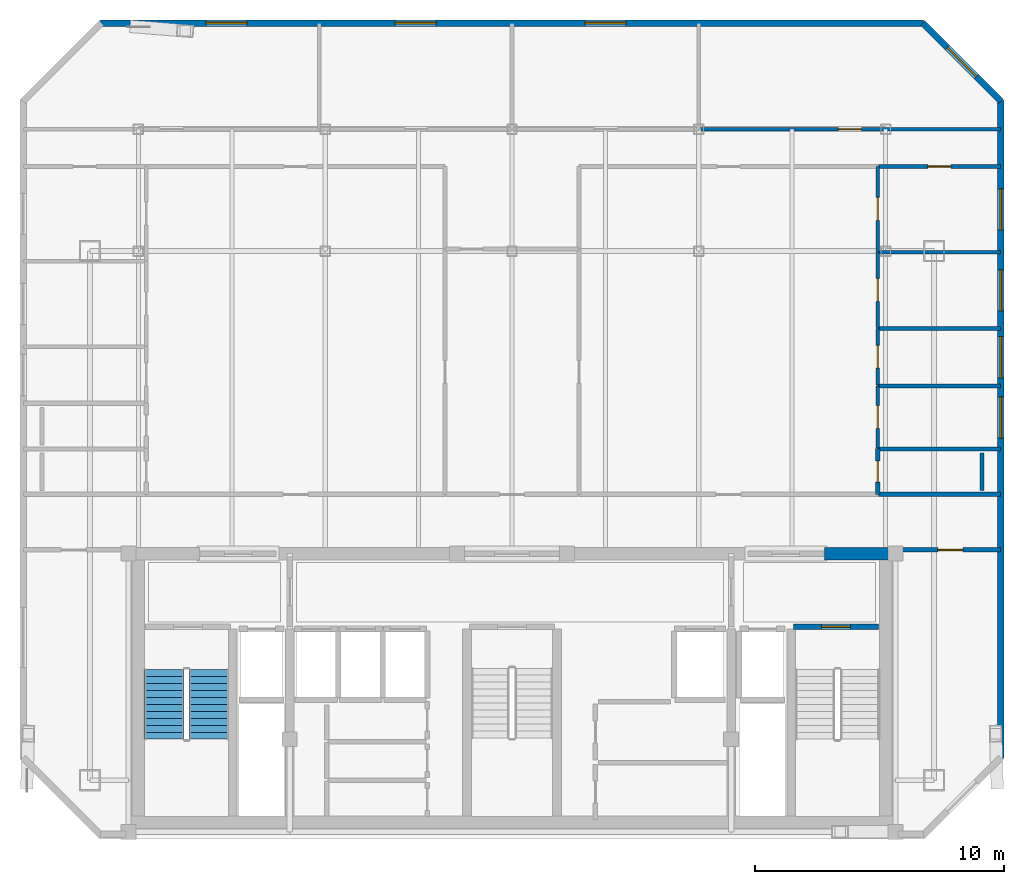
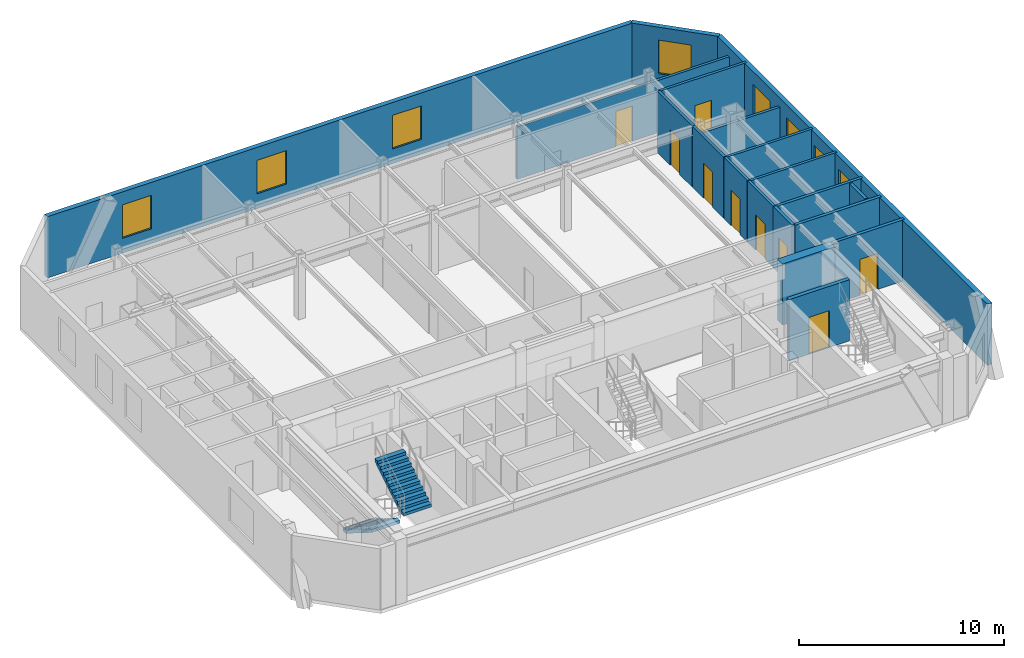
# One storey, part 5 of 7: 19 walls, 9 doors, 8 windows, 2 stair flights, 17 openings, 1 element without a shape of its own.
"""IFC4 building model written with IfcOpenShell, lengths in metres."""

from ifc_helpers import new_model, si_unit, direction, frame, frame_2d, origin, place, context, subcontext, project, spatial, polyline, rectangle, outline, extrude, material, layer, layer_set, type_object, element, fill, aggregate, save


model = new_model("IFC4")

# Units and contexts
model_context = context("Model", 3, precision=1e-05, world=origin(), true_north=direction((0.0, 1.0)))
body_context = subcontext(model_context, "Body", "Model", "MODEL_VIEW")
ifc_project = project(units=[si_unit("LENGTHUNIT", "METRE"), si_unit("AREAUNIT", "SQUARE_METRE"), si_unit("VOLUMEUNIT", "CUBIC_METRE"), si_unit("PLANEANGLEUNIT", "RADIAN"), si_unit("MASSUNIT", "GRAM", prefix="KILO")], contexts=[model_context])

# Site, building, storey
site_placement = place(None, origin())
site = spatial("IfcSite", under=ifc_project, at=site_placement, CompositionType="ELEMENT")
building_placement = place(site_placement, origin())
building = spatial("IfcBuilding", under=site, at=building_placement, Name="Ventersveld Concourse Tower", CompositionType="ELEMENT")
storey_placement = place(building_placement, frame((0.0, 0.0, 316.89990234375)))
storey = spatial("IfcBuildingStorey", under=building, at=storey_placement, Name="L78", CompositionType="ELEMENT", Elevation=316.89990234375)

# Wall
ifc_material_1 = material(Name="Concrete C50/60", Category="concrete")
ifc_layer_1 = layer(ifc_material_1, 0.5)
ifc_layer_set_1 = layer_set([ifc_layer_1], Name="Concrete C50/60")
wall_type_1 = type_object("IfcWallType", Name="WL-CORE-500", PredefinedType="SHEAR", material=ifc_layer_set_1)
wall_1_placement = place(storey_placement, frame((41.300048828125, 11.449951171875, 0.0), z_axis=(0.0, 0.0, 1.0), x_axis=(1.0, 0.0, 0.0)))
element("IfcWall", 1, at=wall_1_placement, inside=storey, type_object=wall_type_1, Name="L78 Rear Core North Shear Wall NE", PredefinedType="SHEAR", context=body_context, shape_type="SweptSolid", body=[
    extrude(rectangle(XDim=2.949951171875, YDim=0.5, at=frame_2d((1.47509765625, 0.0))), origin(), (0.0, 0.0, 1.0), 3.650146484375),
])

# Wall, opening, door
ifc_material_2 = material(Name="Fire-rated autoclaved aerated masonry blockwork", Category="masonry")
ifc_layer_2 = layer(ifc_material_2, 0.179931640625)
ifc_layer_set_2 = layer_set([ifc_layer_2], Name="Fire-rated autoclaved aerated masonry blockwork")
wall_type_2 = type_object("IfcWallType", Name="WL-CORR-180", PredefinedType="PARTITIONING", material=ifc_layer_set_2)
wall_2_placement = place(storey_placement, frame((44.35498046875, 11.60009765625, 0.0), z_axis=(0.0, 0.0, 1.0), x_axis=(1.0, 0.0, 0.0)))
wall_2 = element("IfcWall", 2, at=wall_2_placement, inside=storey, type_object=wall_type_2, Name="L78 Interior Partition SP-L78-SE-OFF-SP-L78-COR", PredefinedType="PARTITIONING", context=body_context, shape_type="SweptSolid", body=[
    extrude(rectangle(XDim=4.00244140625, YDim=0.179931640625, at=frame_2d((2.001220703125, 0.0))), origin(), (0.0, 0.0, 1.0), 3.650146484375),
])
opening_1_placement = place(wall_2_placement, frame((1.501220703125, 0.0, 0.0)))
opening_1 = element("IfcOpeningElement", 3, at=opening_1_placement, cuts=wall_2, Name="Opening FD3", PredefinedType="OPENING", context=body_context, shape_type="SweptSolid", body=[
    extrude(rectangle(XDim=1.0, YDim=2.14990234375, at=frame_2d((0.5, 1.074951171875))), frame((0.0, 0.10009765625, 0.0), z_axis=(0.0, -1.0, 0.0), x_axis=(1.0, 0.0, 0.0)), (0.0, 0.0, 1.0), 0.199951171875),
])
ifc_material_3 = material(Name="Solid-core hardwood veneer timber", Category="wood")
door_type_1 = type_object("IfcDoorType", Name="DR-FLAT-100", OperationType="NOTDEFINED", PredefinedType="DOOR", material=ifc_material_3)
door_1_placement = place(opening_1_placement, origin())
door_1 = element("IfcDoor", 4, at=door_1_placement, inside=storey, type_object=door_type_1, Name="L78 Interior Door SP-L78-SE-OFF to SP-L78-COR (D-L78-3567)", OperationType="SINGLE_SWING_LEFT", OverallHeight=2.14990234375, OverallWidth=1.0, PredefinedType="DOOR", context=body_context, shape_type="SweptSolid", body=[
    extrude(rectangle(XDim=1.0, YDim=2.14990234375, at=frame_2d((0.5, 1.074951171875))), frame((0.0, 0.02490234375, 0.0), z_axis=(0.0, -1.0, 0.0), x_axis=(1.0, 0.0, 0.0)), (0.0, 0.0, 1.0), 0.050048828125),
])
fill(opening_1, door_1)

# Wall
wall_3_placement = place(storey_placement, frame((43.471923828125, 13.830078125, 0.0), z_axis=(0.0, 0.0, 1.0), x_axis=(1.0, 0.0, 0.0)))
element("IfcWall", 5, at=wall_3_placement, inside=storey, type_object=wall_type_2, Name="L78 Interior Partition SP-L78-COR-SP-L78-78N1-PWDR7", PredefinedType="PARTITIONING", context=body_context, shape_type="SweptSolid", body=[
    extrude(rectangle(XDim=4.885498046875, YDim=0.179931640625, at=frame_2d((2.44287109375, 0.0))), origin(), (0.0, 0.0, 1.0), 3.650146484375),
])

# Wall, opening, door
ifc_layer_3 = layer(ifc_material_2, 0.219970703125)
ifc_layer_set_3 = layer_set([ifc_layer_3], Name="Fire-rated autoclaved aerated masonry blockwork")
wall_type_3 = type_object("IfcWallType", Name="WL-HOIST-220", PredefinedType="SOLIDWALL", material=ifc_layer_set_3)
wall_4_placement = place(storey_placement, frame((40.06005859375, 8.52001953125, 0.0), z_axis=(0.0, 0.0, 1.0), x_axis=(1.0, 0.0, 0.0)))
wall_4 = element("IfcWall", 6, at=wall_4_placement, inside=storey, type_object=wall_type_3, Name="L78 Escape Stair ST02 Fire Wall", PredefinedType="SOLIDWALL", context=body_context, shape_type="SweptSolid", body=[
    extrude(rectangle(XDim=3.39990234375, YDim=0.219970703125, at=frame_2d((1.699951171875, 0.0))), origin(), (0.0, 0.0, 1.0), 3.650146484375),
])
opening_2_placement = place(wall_4_placement, frame((1.125, 0.0, 0.0)))
opening_2 = element("IfcOpeningElement", 7, at=opening_2_placement, cuts=wall_4, Name="Opening FD1", PredefinedType="OPENING", context=body_context, shape_type="SweptSolid", body=[
    extrude(rectangle(XDim=1.14990234375, YDim=2.199951171875, at=frame_2d((0.574951171875, 1.10009765625))), frame((0.0, 0.1201171875, 0.0), z_axis=(0.0, -1.0, 0.0), x_axis=(1.0, 0.0, 0.0)), (0.0, 0.0, 1.0), 0.239990234375),
])
ifc_material_4 = material(Name="Galvanised painted steel", Category="steel")
door_type_2 = type_object("IfcDoorType", Name="DR-STAIR-115", OperationType="NOTDEFINED", PredefinedType="DOOR", material=ifc_material_4)
door_2_placement = place(opening_2_placement, origin())
door_2 = element("IfcDoor", 8, at=door_2_placement, inside=storey, type_object=door_type_2, Name="L78 Escape Stair Door ST02 (SD-L78-3554)", OperationType="SINGLE_SWING_RIGHT", OverallHeight=2.199951171875, OverallWidth=1.14990234375, PredefinedType="DOOR", context=body_context, shape_type="SweptSolid", body=[
    extrude(rectangle(XDim=1.14990234375, YDim=2.199951171875, at=frame_2d((0.574951171875, 1.10009765625))), frame((0.0, 0.02490234375, 0.0), z_axis=(0.0, -1.0, 0.0), x_axis=(1.0, 0.0, 0.0)), (0.0, 0.0, 1.0), 0.050048828125),
])
fill(opening_2, door_2)

ifc_material_5 = material(Name="Autoclaved aerated masonry blockwork", Category="masonry")
ifc_layer_4 = layer(ifc_material_5, 0.14990234375)
ifc_layer_set_4 = layer_set([ifc_layer_4], Name="Autoclaved aerated masonry blockwork")
wall_type_4 = type_object("IfcWallType", Name="WL-INT-150", PredefinedType="PARTITIONING", material=ifc_layer_set_4)
wall_5_placement = place(storey_placement, frame((43.43701171875, 15.695068359375, 0.0), z_axis=(0.0, 0.0, 1.0), x_axis=(0.0, 1.0, 0.0)))
wall_5 = element("IfcWall", 9, at=wall_5_placement, inside=storey, type_object=wall_type_4, Name="L78 Interior Partition SP-L78-78N1-EGAL1-SP-L78-78N1-KIT", PredefinedType="PARTITIONING", context=body_context, shape_type="SweptSolid", body=[
    extrude(rectangle(XDim=2.491455078125, YDim=0.14990234375, at=frame_2d((1.24560546875, 0.0))), origin(), (0.0, 0.0, 1.0), 3.650146484375),
])
opening_3_placement = place(wall_5_placement, frame((0.785888671875, 0.0, 0.0)))
opening_3 = element("IfcOpeningElement", 10, at=opening_3_placement, cuts=wall_5, Name="Opening ID1", PredefinedType="OPENING", context=body_context, shape_type="SweptSolid", body=[
    extrude(rectangle(XDim=0.919921875, YDim=2.10009765625, at=frame_2d((0.4599609375, 1.050048828125))), frame((0.0, 0.0849609375, 0.0), z_axis=(0.0, -1.0, 0.0), x_axis=(1.0, 0.0, 0.0)), (0.0, 0.0, 1.0), 0.169921875),
])
door_type_3 = type_object("IfcDoorType", Name="DR-ROOM-092", OperationType="NOTDEFINED", PredefinedType="DOOR", material=ifc_material_3)
door_3_placement = place(opening_3_placement, origin())
door_3 = element("IfcDoor", 11, at=door_3_placement, inside=storey, type_object=door_type_3, Name="L78 Interior Door SP-L78-78N1-EGAL1 to SP-L78-78N1-KIT (D-L78-3581)", OperationType="SINGLE_SWING_LEFT", OverallHeight=2.10009765625, OverallWidth=0.919921875, PredefinedType="DOOR", context=body_context, shape_type="SweptSolid", body=[
    extrude(rectangle(XDim=0.919921875, YDim=2.10009765625, at=frame_2d((0.4599609375, 1.050048828125))), frame((0.0, 0.02490234375, 0.0), z_axis=(0.0, -1.0, 0.0), x_axis=(1.0, 0.0, 0.0)), (0.0, 0.0, 1.0), 0.050048828125),
])
fill(opening_3, door_3)

wall_6_placement = place(storey_placement, frame((43.43701171875, 18.216552734375, 0.0), z_axis=(0.0, 0.0, 1.0), x_axis=(0.0, 1.0, 0.0)))
wall_6 = element("IfcWall", 12, at=wall_6_placement, inside=storey, type_object=wall_type_4, Name="L78 Interior Partition SP-L78-78N1-EGAL1-SP-L78-78N1-PANR1", PredefinedType="PARTITIONING", context=body_context, shape_type="SweptSolid", body=[
    extrude(rectangle(XDim=2.28515625, YDim=0.14990234375, at=frame_2d((1.142578125, 0.0))), origin(), (0.0, 0.0, 1.0), 3.650146484375),
])
opening_4_placement = place(wall_6_placement, frame((0.6826171875, 0.0, 0.0)))
opening_4 = element("IfcOpeningElement", 13, at=opening_4_placement, cuts=wall_6, Name="Opening ID1", PredefinedType="OPENING", context=body_context, shape_type="SweptSolid", body=[
    extrude(rectangle(XDim=0.919921875, YDim=2.10009765625, at=frame_2d((0.4599609375, 1.050048828125))), frame((0.0, 0.0849609375, 0.0), z_axis=(0.0, -1.0, 0.0), x_axis=(1.0, 0.0, 0.0)), (0.0, 0.0, 1.0), 0.169921875),
])
door_4_placement = place(opening_4_placement, origin())
door_4 = element("IfcDoor", 14, at=door_4_placement, inside=storey, type_object=door_type_3, Name="L78 Interior Door SP-L78-78N1-EGAL1 to SP-L78-78N1-PANR1 (D-L78-3582)", OperationType="SINGLE_SWING_RIGHT", OverallHeight=2.10009765625, OverallWidth=0.919921875, PredefinedType="DOOR", context=body_context, shape_type="SweptSolid", body=[
    extrude(rectangle(XDim=0.919921875, YDim=2.10009765625, at=frame_2d((0.4599609375, 1.050048828125))), frame((0.0, 0.02490234375, 0.0), z_axis=(0.0, -1.0, 0.0), x_axis=(1.0, 0.0, 0.0)), (0.0, 0.0, 1.0), 0.050048828125),
])
fill(opening_4, door_4)

wall_7_placement = place(storey_placement, frame((43.43701171875, 20.53173828125, 0.0), z_axis=(0.0, 0.0, 1.0), x_axis=(0.0, 1.0, 0.0)))
wall_7 = element("IfcWall", 15, at=wall_7_placement, inside=storey, type_object=wall_type_4, Name="L78 Interior Partition SP-L78-78N1-EGAL1-SP-L78-78N1-MEDR3", PredefinedType="PARTITIONING", context=body_context, shape_type="SweptSolid", body=[
    extrude(rectangle(XDim=3.028076171875, YDim=0.14990234375, at=frame_2d((1.51416015625, 0.0))), origin(), (0.0, 0.0, 1.0), 3.650146484375),
])
opening_5_placement = place(wall_7_placement, frame((1.053955078125, 0.0, 0.0)))
opening_5 = element("IfcOpeningElement", 16, at=opening_5_placement, cuts=wall_7, Name="Opening ID1", PredefinedType="OPENING", context=body_context, shape_type="SweptSolid", body=[
    extrude(rectangle(XDim=0.919921875, YDim=2.10009765625, at=frame_2d((0.4599609375, 1.050048828125))), frame((0.0, 0.0849609375, 0.0), z_axis=(0.0, -1.0, 0.0), x_axis=(1.0, 0.0, 0.0)), (0.0, 0.0, 1.0), 0.169921875),
])
door_5_placement = place(opening_5_placement, origin())
door_5 = element("IfcDoor", 17, at=door_5_placement, inside=storey, type_object=door_type_3, Name="L78 Interior Door SP-L78-78N1-EGAL1 to SP-L78-78N1-MEDR3 (D-L78-3583)", OperationType="SINGLE_SWING_LEFT", OverallHeight=2.10009765625, OverallWidth=0.919921875, PredefinedType="DOOR", context=body_context, shape_type="SweptSolid", body=[
    extrude(rectangle(XDim=0.919921875, YDim=2.10009765625, at=frame_2d((0.4599609375, 1.050048828125))), frame((0.0, 0.02490234375, 0.0), z_axis=(0.0, -1.0, 0.0), x_axis=(1.0, 0.0, 0.0)), (0.0, 0.0, 1.0), 0.050048828125),
])
fill(opening_5, door_5)

wall_8_placement = place(storey_placement, frame((43.43701171875, 23.589599609375, 0.0), z_axis=(0.0, 0.0, 1.0), x_axis=(0.0, 1.0, 0.0)))
wall_8 = element("IfcWall", 18, at=wall_8_placement, inside=storey, type_object=wall_type_4, Name="L78 Interior Partition SP-L78-78N1-EGAL1-SP-L78-78N1-SEMR5", PredefinedType="PARTITIONING", context=body_context, shape_type="SweptSolid", body=[
    extrude(rectangle(XDim=3.415283203125, YDim=0.14990234375, at=frame_2d((1.70751953125, 0.0))), origin(), (0.0, 0.0, 1.0), 3.650146484375),
])
opening_6_placement = place(wall_8_placement, frame((1.24755859375, 0.0, 0.0)))
opening_6 = element("IfcOpeningElement", 19, at=opening_6_placement, cuts=wall_8, Name="Opening ID1", PredefinedType="OPENING", context=body_context, shape_type="SweptSolid", body=[
    extrude(rectangle(XDim=0.919921875, YDim=2.10009765625, at=frame_2d((0.4599609375, 1.050048828125))), frame((0.0, 0.0849609375, 0.0), z_axis=(0.0, -1.0, 0.0), x_axis=(1.0, 0.0, 0.0)), (0.0, 0.0, 1.0), 0.169921875),
])
door_6_placement = place(opening_6_placement, origin())
door_6 = element("IfcDoor", 20, at=door_6_placement, inside=storey, type_object=door_type_3, Name="L78 Interior Door SP-L78-78N1-EGAL1 to SP-L78-78N1-SEMR5 (D-L78-3584)", OperationType="SINGLE_SWING_RIGHT", OverallHeight=2.10009765625, OverallWidth=0.919921875, PredefinedType="DOOR", context=body_context, shape_type="SweptSolid", body=[
    extrude(rectangle(XDim=0.919921875, YDim=2.10009765625, at=frame_2d((0.4599609375, 1.050048828125))), frame((0.0, 0.02490234375, 0.0), z_axis=(0.0, -1.0, 0.0), x_axis=(1.0, 0.0, 0.0)), (0.0, 0.0, 1.0), 0.050048828125),
])
fill(opening_6, door_6)

wall_9_placement = place(storey_placement, frame((43.471923828125, 27.0, 0.0), z_axis=(0.0, 0.0, 1.0), x_axis=(1.0, 0.0, 0.0)))
wall_9 = element("IfcWall", 21, at=wall_9_placement, inside=storey, type_object=wall_type_4, Name="L78 Interior Partition SP-L78-78N1-LIV-SP-L78-78N1-SEMR5", PredefinedType="PARTITIONING", context=body_context, shape_type="SweptSolid", body=[
    extrude(rectangle(XDim=4.885498046875, YDim=0.14990234375, at=frame_2d((2.44287109375, 0.0))), origin(), (0.0, 0.0, 1.0), 3.650146484375),
])
opening_7_placement = place(wall_9_placement, frame((1.98291015625, 0.0, 0.0)))
opening_7 = element("IfcOpeningElement", 22, at=opening_7_placement, cuts=wall_9, Name="Opening ID1", PredefinedType="OPENING", context=body_context, shape_type="SweptSolid", body=[
    extrude(rectangle(XDim=0.919921875, YDim=2.10009765625, at=frame_2d((0.4599609375, 1.050048828125))), frame((0.0, 0.0849609375, 0.0), z_axis=(0.0, -1.0, 0.0), x_axis=(1.0, 0.0, 0.0)), (0.0, 0.0, 1.0), 0.169921875),
])
door_7_placement = place(opening_7_placement, origin())
door_7 = element("IfcDoor", 23, at=door_7_placement, inside=storey, type_object=door_type_3, Name="L78 Interior Door SP-L78-78N1-LIV to SP-L78-78N1-SEMR5 (D-L78-3587)", OperationType="SINGLE_SWING_LEFT", OverallHeight=2.10009765625, OverallWidth=0.919921875, PredefinedType="DOOR", context=body_context, shape_type="SweptSolid", body=[
    extrude(rectangle(XDim=0.919921875, YDim=2.10009765625, at=frame_2d((0.4599609375, 1.050048828125))), frame((0.0, 0.02490234375, 0.0), z_axis=(0.0, -1.0, 0.0), x_axis=(1.0, 0.0, 0.0)), (0.0, 0.0, 1.0), 0.050048828125),
])
fill(opening_7, door_7)

wall_10_placement = place(storey_placement, frame((36.284912109375, 28.5, 0.0), z_axis=(0.0, 0.0, 1.0), x_axis=(1.0, 0.0, 0.0)))
wall_10 = element("IfcWall", 24, at=wall_10_placement, inside=storey, type_object=wall_type_4, Name="L78 Interior Partition SP-L78-78N1-LIV-SP-L78-78N1-BR4", PredefinedType="PARTITIONING", context=body_context, shape_type="SweptSolid", body=[
    extrude(rectangle(XDim=12.072509765625, YDim=0.14990234375, at=frame_2d((6.0361328125, 0.0))), origin(), (0.0, 0.0, 1.0), 3.116943359375),
])
opening_8_placement = place(wall_10_placement, frame((5.576171875, 0.0, 0.0)))
opening_8 = element("IfcOpeningElement", 25, at=opening_8_placement, cuts=wall_10, Name="Opening ID1", PredefinedType="OPENING", context=body_context, shape_type="SweptSolid", body=[
    extrude(rectangle(XDim=0.919921875, YDim=2.10009765625, at=frame_2d((0.4599609375, 1.050048828125))), frame((0.0, 0.0849609375, 0.0), z_axis=(0.0, -1.0, 0.0), x_axis=(1.0, 0.0, 0.0)), (0.0, 0.0, 1.0), 0.169921875),
])
door_8_placement = place(opening_8_placement, origin())
door_8 = element("IfcDoor", 26, at=door_8_placement, inside=storey, type_object=door_type_3, Name="L78 Interior Door SP-L78-78N1-LIV to SP-L78-78N1-BR4 (D-L78-3591)", OperationType="SINGLE_SWING_LEFT", OverallHeight=2.10009765625, OverallWidth=0.919921875, PredefinedType="DOOR", context=body_context, shape_type="SweptSolid", body=[
    extrude(rectangle(XDim=0.919921875, YDim=2.10009765625, at=frame_2d((0.4599609375, 1.050048828125))), frame((0.0, 0.02490234375, 0.0), z_axis=(0.0, -1.0, 0.0), x_axis=(1.0, 0.0, 0.0)), (0.0, 0.0, 1.0), 0.050048828125),
])
fill(opening_8, door_8)

# Walls
for number, where, z_axis, x_axis, name in (
    (27, (43.431884765625, 18.181396484375, 0.0), (0.0, 0.0, 1.0), (1.0, 0.0, 0.0), "L78 Interior Partition SP-L78-78N1-KIT-SP-L78-78N1-PANR1"),
    (28, (43.431884765625, 20.49658203125, 0.0), (0.0, 0.0, 1.0), (1.0, 0.0, 0.0), "L78 Interior Partition SP-L78-78N1-PANR1-SP-L78-78N1-MEDR3"),
):
    element("IfcWall", number, at=place(storey_placement, frame(where, z_axis=z_axis, x_axis=x_axis)), inside=storey, type_object=wall_type_4, Name=name, PredefinedType="PARTITIONING", context=body_context, shape_type="SweptSolid", body=[
        extrude(rectangle(XDim=4.925537109375, YDim=0.14990234375, at=frame_2d((2.462890625, 0.0))), origin(), (0.0, 0.0, 1.0), 3.650146484375),
    ])
wall_11_placement = place(storey_placement, frame((43.431884765625, 23.5546875, 0.0), z_axis=(0.0, 0.0, 1.0), x_axis=(1.0, 0.0, 0.0)))
element("IfcWall", 29, at=wall_11_placement, inside=storey, type_object=wall_type_4, Name="L78 Interior Partition SP-L78-78N1-MEDR3-SP-L78-78N1-SEMR5", PredefinedType="PARTITIONING", context=body_context, shape_type="SweptSolid", body=[
    extrude(rectangle(XDim=4.925537109375, YDim=0.14990234375, at=frame_2d((2.462890625, 0.0))), origin(), (0.0, 0.0, 1.0), 3.116943359375),
])

# Wall, openings, windows
ifc_material_6 = material(Name="Precast concrete C45/55", Category="concrete")
ifc_layer_5 = layer(ifc_material_6, 0.260009765625)
ifc_layer_set_5 = layer_set([ifc_layer_5], Name="Precast concrete C45/55")
wall_type_5 = type_object("IfcWallType", Name="WL-PREC-260", PredefinedType="SOLIDWALL", material=ifc_layer_set_5)
wall_12_placement = place(storey_placement, frame((48.376953125, 3.239990234375, 0.0), z_axis=(0.0, 0.0, 1.0), x_axis=(0.0, 1.0, 0.0)))
wall_12 = element("IfcWall", 30, at=wall_12_placement, inside=storey, type_object=wall_type_5, Name="L78 Highveld Precast Facade Wall E03", PredefinedType="SOLIDWALL", context=body_context, shape_type="SweptSolid", body=[
    extrude(rectangle(XDim=26.40185546875, YDim=0.260009765625, at=frame_2d((13.200927734375, 0.0))), origin(), (0.0, 0.0, 1.0), 3.650146484375),
])
opening_9_placement = place(wall_12_placement, frame((12.855712890625, 0.0, 0.8798828125)))
opening_9 = element("IfcOpeningElement", 31, at=opening_9_placement, cuts=wall_12, Name="Opening W6", PredefinedType="OPENING", context=body_context, shape_type="SweptSolid", body=[
    extrude(rectangle(XDim=1.64990234375, YDim=2.0, at=frame_2d((0.824951171875, 1.0))), frame((0.0, 0.14013671875, 0.0), z_axis=(0.0, -1.0, 0.0), x_axis=(1.0, 0.0, 0.0)), (0.0, 0.0, 1.0), 0.280029296875),
])
opening_10_placement = place(wall_12_placement, frame((15.274169921875, 0.0, 0.8798828125)))
opening_10 = element("IfcOpeningElement", 32, at=opening_10_placement, cuts=wall_12, Name="Opening W6", PredefinedType="OPENING", context=body_context, shape_type="SweptSolid", body=[
    extrude(rectangle(XDim=1.64990234375, YDim=2.0, at=frame_2d((0.824951171875, 1.0))), frame((0.0, 0.14013671875, 0.0), z_axis=(0.0, -1.0, 0.0), x_axis=(1.0, 0.0, 0.0)), (0.0, 0.0, 1.0), 0.280029296875),
])
opening_11_placement = place(wall_12_placement, frame((17.960693359375, 0.0, 0.8798828125)))
opening_11 = element("IfcOpeningElement", 33, at=opening_11_placement, cuts=wall_12, Name="Opening W6", PredefinedType="OPENING", context=body_context, shape_type="SweptSolid", body=[
    extrude(rectangle(XDim=1.64990234375, YDim=2.0, at=frame_2d((0.824951171875, 1.0))), frame((0.0, 0.14013671875, 0.0), z_axis=(0.0, -1.0, 0.0), x_axis=(1.0, 0.0, 0.0)), (0.0, 0.0, 1.0), 0.280029296875),
])
opening_12_placement = place(wall_12_placement, frame((21.21240234375, 0.0, 0.8798828125)))
opening_12 = element("IfcOpeningElement", 34, at=opening_12_placement, cuts=wall_12, Name="Opening W6", PredefinedType="OPENING", context=body_context, shape_type="SweptSolid", body=[
    extrude(rectangle(XDim=1.64990234375, YDim=2.0, at=frame_2d((0.824951171875, 1.0))), frame((0.0, 0.14013671875, 0.0), z_axis=(0.0, -1.0, 0.0), x_axis=(1.0, 0.0, 0.0)), (0.0, 0.0, 1.0), 0.280029296875),
])
ifc_material_7 = material(Name="Tempered acoustic Low-E IGU", Category="glass")
window_type = type_object("IfcWindowType", Name="WIN-165x200", PartitioningType="SINGLE_PANEL", PredefinedType="WINDOW", material=ifc_material_7)
window_1_placement = place(opening_9_placement, origin())
window_1 = element("IfcWindow", 35, at=window_1_placement, inside=storey, type_object=window_type, Name="L78 Punched Low-E Window W-1107", OverallHeight=2.0, OverallWidth=1.64990234375, PartitioningType="SINGLE_PANEL", PredefinedType="WINDOW", context=body_context, shape_type="SweptSolid", body=[
    extrude(rectangle(XDim=1.64990234375, YDim=2.0, at=frame_2d((0.824951171875, 1.0))), frame((0.0, 0.030029296875, 0.0), z_axis=(0.0, -1.0, 0.0), x_axis=(1.0, 0.0, 0.0)), (0.0, 0.0, 1.0), 0.06005859375),
])
fill(opening_9, window_1)
window_2_placement = place(opening_10_placement, origin())
window_2 = element("IfcWindow", 36, at=window_2_placement, inside=storey, type_object=window_type, Name="L78 Punched Low-E Window W-1108", OverallHeight=2.0, OverallWidth=1.64990234375, PartitioningType="SINGLE_PANEL", PredefinedType="WINDOW", context=body_context, shape_type="SweptSolid", body=[
    extrude(rectangle(XDim=1.64990234375, YDim=2.0, at=frame_2d((0.824951171875, 1.0))), frame((0.0, 0.030029296875, 0.0), z_axis=(0.0, -1.0, 0.0), x_axis=(1.0, 0.0, 0.0)), (0.0, 0.0, 1.0), 0.06005859375),
])
fill(opening_10, window_2)
window_3_placement = place(opening_11_placement, origin())
window_3 = element("IfcWindow", 37, at=window_3_placement, inside=storey, type_object=window_type, Name="L78 Punched Low-E Window W-1109", OverallHeight=2.0, OverallWidth=1.64990234375, PartitioningType="SINGLE_PANEL", PredefinedType="WINDOW", context=body_context, shape_type="SweptSolid", body=[
    extrude(rectangle(XDim=1.64990234375, YDim=2.0, at=frame_2d((0.824951171875, 1.0))), frame((0.0, 0.030029296875, 0.0), z_axis=(0.0, -1.0, 0.0), x_axis=(1.0, 0.0, 0.0)), (0.0, 0.0, 1.0), 0.06005859375),
])
fill(opening_11, window_3)
window_4_placement = place(opening_12_placement, origin())
window_4 = element("IfcWindow", 38, at=window_4_placement, inside=storey, type_object=window_type, Name="L78 Punched Low-E Window W-1110", OverallHeight=2.0, OverallWidth=1.64990234375, PartitioningType="SINGLE_PANEL", PredefinedType="WINDOW", context=body_context, shape_type="SweptSolid", body=[
    extrude(rectangle(XDim=1.64990234375, YDim=2.0, at=frame_2d((0.824951171875, 1.0))), frame((0.0, 0.030029296875, 0.0), z_axis=(0.0, -1.0, 0.0), x_axis=(1.0, 0.0, 0.0)), (0.0, 0.0, 1.0), 0.06005859375),
])
fill(opening_12, window_4)

# Wall, opening, window
wall_13_placement = place(storey_placement, frame((48.38671875, 29.618408203125, 0.0), z_axis=(0.0, 0.0, 1.0), x_axis=(-0.707106781187, 0.707106781187, 0.0)))
wall_13 = element("IfcWall", 39, at=wall_13_placement, inside=storey, type_object=wall_type_5, Name="L78 Highveld Precast Facade Wall E04", PredefinedType="SOLIDWALL", context=body_context, shape_type="SweptSolid", body=[
    extrude(rectangle(XDim=4.4453125, YDim=0.260009765625, at=frame_2d((2.22265625, 0.0))), origin(), (0.0, 0.0, 1.0), 3.650146484375),
])
opening_13_placement = place(wall_13_placement, frame((1.397705078125, 0.0, 0.8798828125)))
opening_13 = element("IfcOpeningElement", 40, at=opening_13_placement, cuts=wall_13, Name="Opening W6", PredefinedType="OPENING", context=body_context, shape_type="SweptSolid", body=[
    extrude(rectangle(XDim=1.64990234375, YDim=2.0, at=frame_2d((0.824951171875, 1.0))), frame((0.0, 0.14013671875, 0.0), z_axis=(0.0, -1.0, 0.0), x_axis=(1.0, 0.0, 0.0)), (0.0, 0.0, 1.0), 0.280029296875),
])
window_5_placement = place(opening_13_placement, origin())
window_5 = element("IfcWindow", 41, at=window_5_placement, inside=storey, type_object=window_type, Name="L78 Punched Low-E Window W-1114", OverallHeight=2.0, OverallWidth=1.64990234375, PartitioningType="SINGLE_PANEL", PredefinedType="WINDOW", context=body_context, shape_type="SweptSolid", body=[
    extrude(rectangle(XDim=1.64990234375, YDim=2.0, at=frame_2d((0.824951171875, 1.0))), frame((0.0, 0.030029296875, 0.0), z_axis=(0.0, -1.0, 0.0), x_axis=(1.0, 0.0, 0.0)), (0.0, 0.0, 1.0), 0.06005859375),
])
fill(opening_13, window_5)

# Wall, openings, windows
wall_14_placement = place(storey_placement, frame((45.26708984375, 32.751953125, 0.0), z_axis=(0.0, 0.0, 1.0), x_axis=(-1.0, 0.0, 0.0)))
wall_14 = element("IfcWall", 42, at=wall_14_placement, inside=storey, type_object=wall_type_5, Name="L78 Highveld Precast Facade Wall E05", PredefinedType="SOLIDWALL", context=body_context, shape_type="SweptSolid", body=[
    extrude(rectangle(XDim=33.0341796875, YDim=0.260009765625, at=frame_2d((16.51708984375, 0.0))), origin(), (0.0, 0.0, 1.0), 3.650146484375),
])
opening_14_placement = place(wall_14_placement, frame((27.15478515625, 0.0, 0.8798828125)))
opening_14 = element("IfcOpeningElement", 43, at=opening_14_placement, cuts=wall_14, Name="Opening W6", PredefinedType="OPENING", context=body_context, shape_type="SweptSolid", body=[
    extrude(rectangle(XDim=1.64990234375, YDim=2.0, at=frame_2d((0.824951171875, 1.0))), frame((0.0, 0.14013671875, 0.0), z_axis=(0.0, -1.0, 0.0), x_axis=(1.0, 0.0, 0.0)), (0.0, 0.0, 1.0), 0.280029296875),
])
opening_15_placement = place(wall_14_placement, frame((19.5615234375, 0.0, 0.8798828125)))
opening_15 = element("IfcOpeningElement", 44, at=opening_15_placement, cuts=wall_14, Name="Opening W6", PredefinedType="OPENING", context=body_context, shape_type="SweptSolid", body=[
    extrude(rectangle(XDim=1.64990234375, YDim=2.0, at=frame_2d((0.824951171875, 1.0))), frame((0.0, 0.14013671875, 0.0), z_axis=(0.0, -1.0, 0.0), x_axis=(1.0, 0.0, 0.0)), (0.0, 0.0, 1.0), 0.280029296875),
])
opening_16_placement = place(wall_14_placement, frame((11.94189453125, 0.0, 0.8798828125)))
opening_16 = element("IfcOpeningElement", 45, at=opening_16_placement, cuts=wall_14, Name="Opening W6", PredefinedType="OPENING", context=body_context, shape_type="SweptSolid", body=[
    extrude(rectangle(XDim=1.64990234375, YDim=2.0, at=frame_2d((0.824951171875, 1.0))), frame((0.0, 0.14013671875, 0.0), z_axis=(0.0, -1.0, 0.0), x_axis=(1.0, 0.0, 0.0)), (0.0, 0.0, 1.0), 0.280029296875),
])
window_6_placement = place(opening_14_placement, origin())
window_6 = element("IfcWindow", 46, at=window_6_placement, inside=storey, type_object=window_type, Name="L78 Punched Low-E Window W-1111", OverallHeight=2.0, OverallWidth=1.64990234375, PartitioningType="SINGLE_PANEL", PredefinedType="WINDOW", context=body_context, shape_type="SweptSolid", body=[
    extrude(rectangle(XDim=1.64990234375, YDim=2.0, at=frame_2d((0.824951171875, 1.0))), frame((0.0, 0.030029296875, 0.0), z_axis=(0.0, -1.0, 0.0), x_axis=(1.0, 0.0, 0.0)), (0.0, 0.0, 1.0), 0.06005859375),
])
fill(opening_14, window_6)
window_7_placement = place(opening_15_placement, origin())
window_7 = element("IfcWindow", 47, at=window_7_placement, inside=storey, type_object=window_type, Name="L78 Punched Low-E Window W-1112", OverallHeight=2.0, OverallWidth=1.64990234375, PartitioningType="SINGLE_PANEL", PredefinedType="WINDOW", context=body_context, shape_type="SweptSolid", body=[
    extrude(rectangle(XDim=1.64990234375, YDim=2.0, at=frame_2d((0.824951171875, 1.0))), frame((0.0, 0.030029296875, 0.0), z_axis=(0.0, -1.0, 0.0), x_axis=(1.0, 0.0, 0.0)), (0.0, 0.0, 1.0), 0.06005859375),
])
fill(opening_15, window_7)
window_8_placement = place(opening_16_placement, origin())
window_8 = element("IfcWindow", 48, at=window_8_placement, inside=storey, type_object=window_type, Name="L78 Punched Low-E Window W-1113", OverallHeight=2.0, OverallWidth=1.64990234375, PartitioningType="SINGLE_PANEL", PredefinedType="WINDOW", context=body_context, shape_type="SweptSolid", body=[
    extrude(rectangle(XDim=1.64990234375, YDim=2.0, at=frame_2d((0.824951171875, 1.0))), frame((0.0, 0.030029296875, 0.0), z_axis=(0.0, -1.0, 0.0), x_axis=(1.0, 0.0, 0.0)), (0.0, 0.0, 1.0), 0.06005859375),
])
fill(opening_16, window_8)

# Wall, opening, door
ifc_layer_6 = layer(ifc_material_5, 0.1650390625)
ifc_layer_set_6 = layer_set([ifc_layer_6], Name="Autoclaved aerated masonry blockwork")
wall_type_6 = type_object("IfcWallType", Name="WL-WET-165", PredefinedType="PLUMBINGWALL", material=ifc_layer_set_6)
wall_15_placement = place(storey_placement, frame((43.43701171875, 13.824951171875, 0.0), z_axis=(0.0, 0.0, 1.0), x_axis=(0.0, 1.0, 0.0)))
wall_15 = element("IfcWall", 49, at=wall_15_placement, inside=storey, type_object=wall_type_6, Name="L78 Interior Partition SP-L78-78N1-EGAL1-SP-L78-78N1-PWDR7", PredefinedType="PLUMBINGWALL", context=body_context, shape_type="SweptSolid", body=[
    extrude(rectangle(XDim=1.840087890625, YDim=0.1650390625, at=frame_2d((0.919921875, 0.0))), origin(), (0.0, 0.0, 1.0), 3.650146484375),
])
opening_17_placement = place(wall_15_placement, frame((0.4951171875, 0.0, 0.0)))
opening_17 = element("IfcOpeningElement", 50, at=opening_17_placement, cuts=wall_15, Name="Opening ID2", PredefinedType="OPENING", context=body_context, shape_type="SweptSolid", body=[
    extrude(rectangle(XDim=0.85009765625, YDim=2.10009765625, at=frame_2d((0.425048828125, 1.050048828125))), frame((0.0, 0.092529296875, 0.0), z_axis=(0.0, -1.0, 0.0), x_axis=(1.0, 0.0, 0.0)), (0.0, 0.0, 1.0), 0.18505859375),
])
door_type_4 = type_object("IfcDoorType", Name="DR-BATH-085", OperationType="NOTDEFINED", PredefinedType="DOOR", material=ifc_material_3)
door_9_placement = place(opening_17_placement, origin())
door_9 = element("IfcDoor", 51, at=door_9_placement, inside=storey, type_object=door_type_4, Name="L78 Interior Door SP-L78-78N1-EGAL1 to SP-L78-78N1-PWDR7 (D-L78-3580)", OperationType="SINGLE_SWING_RIGHT", OverallHeight=2.10009765625, OverallWidth=0.85009765625, PredefinedType="DOOR", context=body_context, shape_type="SweptSolid", body=[
    extrude(rectangle(XDim=0.85009765625, YDim=2.10009765625, at=frame_2d((0.425048828125, 1.050048828125))), frame((0.0, 0.02490234375, 0.0), z_axis=(0.0, -1.0, 0.0), x_axis=(1.0, 0.0, 0.0)), (0.0, 0.0, 1.0), 0.050048828125),
])
fill(opening_17, door_9)

# Walls
wall_16_placement = place(storey_placement, frame((43.431884765625, 15.659912109375, 0.0), z_axis=(0.0, 0.0, 1.0), x_axis=(1.0, 0.0, 0.0)))
element("IfcWall", 52, at=wall_16_placement, inside=storey, type_object=wall_type_6, Name="L78 Interior Partition SP-L78-78N1-PWDR7-SP-L78-78N1-KIT", PredefinedType="PLUMBINGWALL", context=body_context, shape_type="SweptSolid", body=[
    extrude(rectangle(XDim=4.925537109375, YDim=0.1650390625, at=frame_2d((2.462890625, 0.0))), origin(), (0.0, 0.0, 1.0), 3.650146484375),
])
wall_17_placement = place(storey_placement, frame((47.626953125, 15.4951171875, 0.0), z_axis=(0.0, 0.0, 1.0), x_axis=(0.0, -1.0, 0.0)))
element("IfcWall", 53, at=wall_17_placement, inside=storey, type_object=wall_type_6, Name="L78 Room Enclosure Wall SP-L78-78N1-PWDR7", PredefinedType="PLUMBINGWALL", context=body_context, shape_type="SweptSolid", body=[
    extrude(rectangle(XDim=1.5, YDim=0.1650390625, at=frame_2d((0.75, 0.0))), origin(), (0.0, 0.0, 1.0), 3.650146484375),
])

# Stair, stair flights
stair_type = type_object("IfcStairType", Name="ST-DOG-160", PredefinedType="HALF_TURN_STAIR", material=ifc_material_1)
stair_placement = place(storey_placement, origin())
stair = element("IfcStair", 54, at=stair_placement, inside=storey, type_object=stair_type, Name="L78 Protected Tower Escape Stair ST-01", PredefinedType="HALF_TURN_STAIR")
stair_flight_type = type_object("IfcStairFlightType", Name="STF-RC-160", PredefinedType="STRAIGHT", material=ifc_material_1)
stair_flight_1_placement = place(storey_placement, frame((14.780029296875, 6.800048828125, 0.0), z_axis=(0.0, 0.0, 1.0), x_axis=(0.0, -1.0, 0.0)))
stair_flight_1 = element("IfcStairFlight", 55, at=stair_flight_1_placement, type_object=stair_flight_type, Name="ST-01 flight 1", NumberOfRisers=11, NumberOfTreads=10, PredefinedType="STRAIGHT", RiserHeight=0.175, TreadLength=0.28, context=body_context, shape_type="SweptSolid", body=[
    extrude(outline(polyline([(0.0, 0.0), (0.0, 0.175048828125), (0.280029296875, 0.175048828125), (0.280029296875, 0.35009765625), (0.56005859375, 0.35009765625), (0.56005859375, 0.52490234375), (0.840087890625, 0.52490234375), (0.840087890625, 0.699951171875), (1.1201171875, 0.699951171875), (1.1201171875, 0.875), (1.39990234375, 0.875), (1.39990234375, 1.050048828125), (1.679931640625, 1.050048828125), (1.679931640625, 1.22509765625), (1.9599609375, 1.22509765625), (1.9599609375, 1.39990234375), (2.239990234375, 1.39990234375), (2.239990234375, 1.574951171875), (2.52001953125, 1.574951171875), (2.52001953125, 1.75), (2.800048828125, 1.75), (2.800048828125, 1.925048828125), (2.800048828125, 1.5732421875), (0.28271484375, 0.0), (0.0, 0.0)])), frame((0.0, 0.800048828125, 0.0), z_axis=(0.0, -1.0, 0.0), x_axis=(1.0, 0.0, 0.0)), (0.0, 0.0, 1.0), 1.60009765625),
])
stair_flight_2_placement = place(storey_placement, frame((16.580078125, 4.0, 1.925048828125), z_axis=(0.0, 0.0, 1.0), x_axis=(0.0, 1.0, 0.0)))
stair_flight_2 = element("IfcStairFlight", 56, at=stair_flight_2_placement, type_object=stair_flight_type, Name="ST-01 flight 2", NumberOfRisers=11, NumberOfTreads=10, PredefinedType="STRAIGHT", RiserHeight=0.175, TreadLength=0.28, context=body_context, shape_type="SweptSolid", body=[
    extrude(outline(polyline([(0.0, 0.0), (0.0, 0.175048828125), (0.280029296875, 0.175048828125), (0.280029296875, 0.35009765625), (0.56005859375, 0.35009765625), (0.56005859375, 0.52490234375), (0.840087890625, 0.52490234375), (0.840087890625, 0.699951171875), (1.1201171875, 0.699951171875), (1.1201171875, 0.875), (1.39990234375, 0.875), (1.39990234375, 1.050048828125), (1.679931640625, 1.050048828125), (1.679931640625, 1.22509765625), (1.9599609375, 1.22509765625), (1.9599609375, 1.39990234375), (2.239990234375, 1.39990234375), (2.239990234375, 1.574951171875), (2.52001953125, 1.574951171875), (2.52001953125, 1.75), (2.800048828125, 1.75), (2.800048828125, 1.925048828125), (2.800048828125, 1.5732421875), (0.28271484375, 0.0), (0.0, 0.0)])), frame((0.0, 0.800048828125, 0.0), z_axis=(0.0, -1.0, 0.0), x_axis=(1.0, 0.0, 0.0)), (0.0, 0.0, 1.0), 1.60009765625),
])
aggregate(stair, [stair_flight_1, stair_flight_2])

save(model, "model.ifc")
